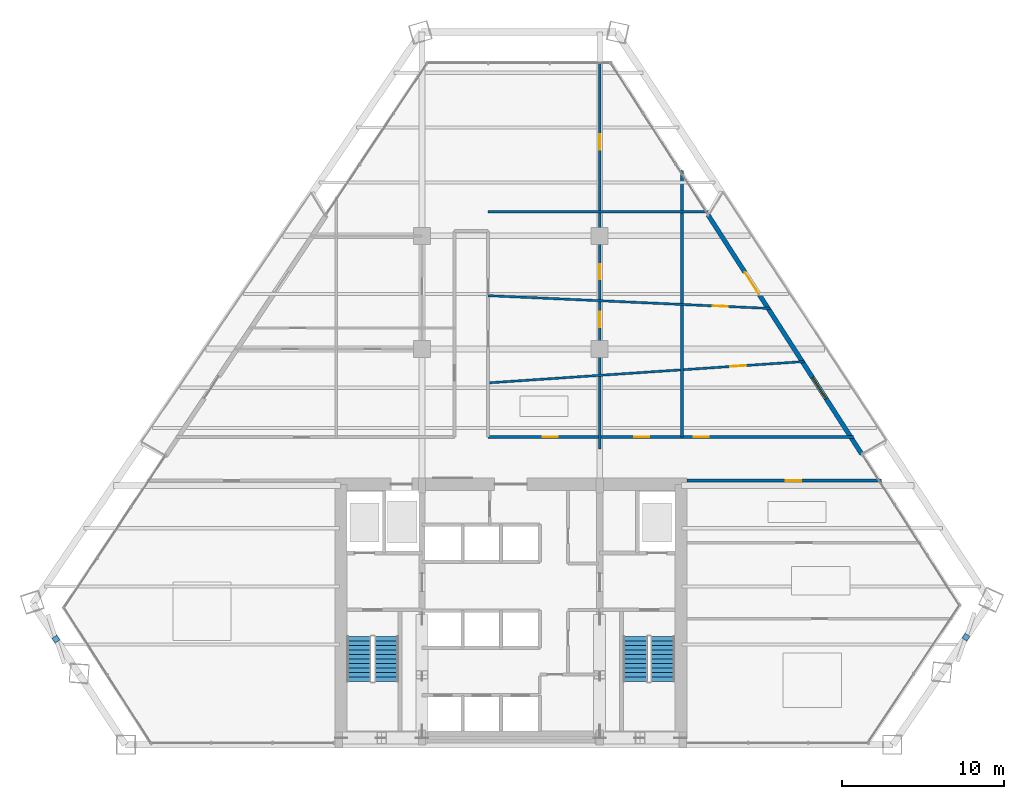
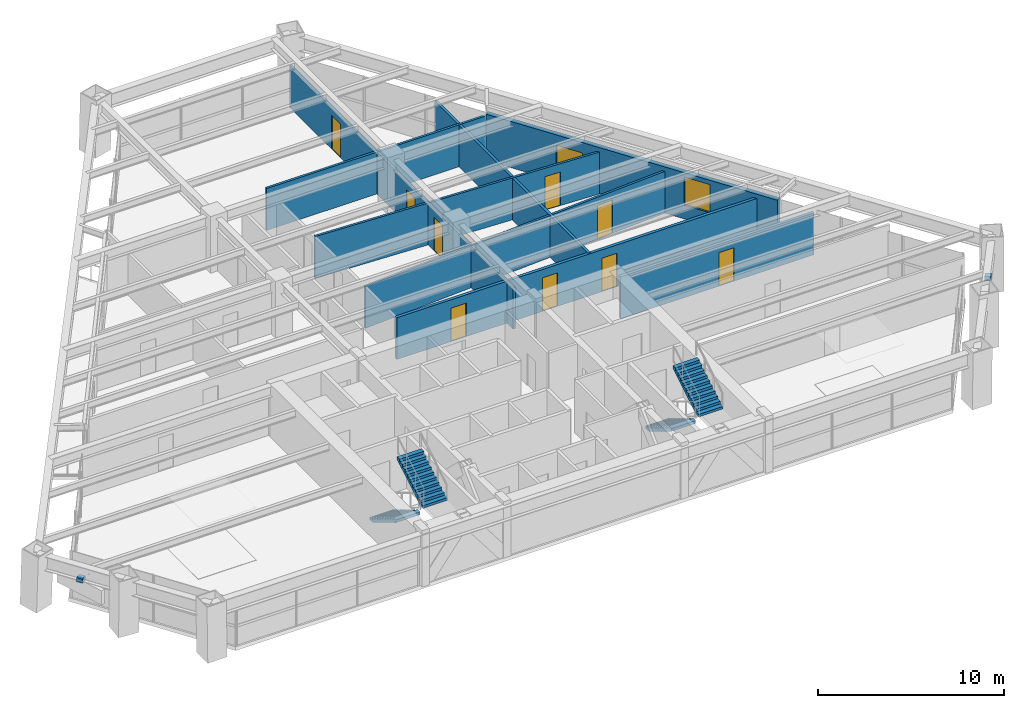
# One storey, part 12 of 15: 10 doors, 8 walls, 4 stair flights, 2 discrete accessories, 1 window, 11 openings, 2 elements without a shape of their own.
"""IFC4 building model written with IfcOpenShell, lengths in metres."""

from ifc_helpers import new_model, si_unit, direction, frame, frame_2d, origin, origin_2d, place, context, subcontext, project, spatial, polyline, rectangle, outline, extrude, source, transform, mapped, material, layer, layer_set, type_object, type_shapes, element, fill, aggregate, save


model = new_model("IFC4")

# Units and contexts
model_context = context("Model", 3, precision=1e-05, world=origin(), true_north=direction((0.0, 1.0)))
body_context = subcontext(model_context, "Body", "Model", "MODEL_VIEW")
ifc_project = project(units=[si_unit("LENGTHUNIT", "METRE"), si_unit("AREAUNIT", "SQUARE_METRE"), si_unit("VOLUMEUNIT", "CUBIC_METRE"), si_unit("PLANEANGLEUNIT", "RADIAN"), si_unit("MASSUNIT", "GRAM", prefix="KILO")], contexts=[model_context])

# Site, building, storey
site_placement = place(None, origin())
site = spatial("IfcSite", under=ifc_project, at=site_placement, CompositionType="ELEMENT")
building_placement = place(site_placement, origin())
building = spatial("IfcBuilding", under=site, at=building_placement, Name="Varnakhor Terracotta Tower", CompositionType="ELEMENT")
storey_placement = place(building_placement, frame((0.0, 0.0, 109.89990234375)))
storey = spatial("IfcBuildingStorey", under=building, at=storey_placement, Name="L27", CompositionType="ELEMENT", Elevation=109.89990234375)

# Wall, opening, door
ifc_material_1 = material(Name="Fire-Rated Gypsum Stud Partition", Category="gypsum")
ifc_layer_1 = layer(ifc_material_1, 0.18505859375, Name="Fire-Rated Gypsum Stud Partition")
ifc_layer_set_1 = layer_set([ifc_layer_1], Name="Fire-Rated Gypsum Stud Partition")
wall_type_1 = type_object("IfcWallType", Name="WAL-CORR-185", PredefinedType="PARTITIONING", material=ifc_layer_set_1)
wall_1_placement = place(storey_placement, frame((10.919921875, 16.35009765625, 0.0), z_axis=(0.0, 0.0, 1.0), x_axis=(1.0, 0.0, 0.0)))
wall_1 = element("IfcWall", 1, at=wall_1_placement, inside=storey, type_object=wall_type_1, Name="L27 South East Corridor Wall", PredefinedType="PARTITIONING", context=body_context, shape_type="SweptSolid", body=[
    extrude(rectangle(XDim=12.0126953125, YDim=0.18505859375, at=frame_2d((6.00634765625, 0.0))), origin(), (0.0, 0.0, 1.0), 2.7470703125),
])
opening_1_placement = place(wall_1_placement, frame((6.097900390625, 0.0, 0.0)))
opening_1 = element("IfcOpeningElement", 2, at=opening_1_placement, cuts=wall_1, Name="Opening DR-94", PredefinedType="OPENING", context=body_context, shape_type="SweptSolid", body=[
    extrude(rectangle(XDim=0.949951171875, YDim=2.199951171875, at=frame_2d((0.47509765625, 1.10009765625))), frame((0.0, 0.1025390625, 0.0), z_axis=(0.0, -1.0, 0.0), x_axis=(1.0, 0.0, 0.0)), (0.0, 0.0, 1.0), 0.205078125),
])
ifc_material_2 = material(Name="Acoustic Glazed-Vision Timber Office Door", Category="wood")
door_type_1 = type_object("IfcDoorType", Name="DR-OFF-950X2200", OperationType="NOTDEFINED", PredefinedType="DOOR", material=ifc_material_2)
shared_shape_1 = source(origin(), body_context, "Body", "SweptSolid", [
    extrude(rectangle(XDim=0.949951171875, YDim=2.199951171875, at=frame_2d((0.47509765625, 1.10009765625))), frame((0.0, 0.02490234375, 0.0), z_axis=(0.0, -1.0, 0.0), x_axis=(1.0, 0.0, 0.0)), (0.0, 0.0, 1.0), 0.050048828125),
])
type_shapes(door_type_1, [shared_shape_1])
door_1_placement = place(opening_1_placement, origin())
door_1 = element("IfcDoor", 3, at=door_1_placement, inside=storey, type_object=door_type_1, Name="L27 SE Suite Door", OperationType="SINGLE_SWING_LEFT", OverallHeight=2.199951171875, OverallWidth=0.949951171875, PredefinedType="DOOR", context=body_context, shape_type="MappedRepresentation", body=[
    mapped(shared_shape_1, transform((0.0, 0.0, 0.0), scale=1.0)),
])
fill(opening_1, door_1)

# Wall, openings, doors
wall_2_placement = place(storey_placement, frame((-1.39990234375, 19.050048828125, 0.0), z_axis=(0.0, 0.0, 1.0), x_axis=(1.0, 0.0, 0.0)))
wall_2 = element("IfcWall", 4, at=wall_2_placement, inside=storey, type_object=wall_type_1, Name="L27 Corridor North East Wall", PredefinedType="PARTITIONING", context=body_context, shape_type="SweptSolid", body=[
    extrude(rectangle(XDim=22.59716796875, YDim=0.18505859375, at=frame_2d((11.298583984375, 0.0))), origin(), (0.0, 0.0, 1.0), 2.7470703125),
])
opening_2_placement = place(wall_2_placement, frame((12.715087890625, 0.0, 0.0)))
opening_2 = element("IfcOpeningElement", 5, at=opening_2_placement, cuts=wall_2, Name="Opening DR-94", PredefinedType="OPENING", context=body_context, shape_type="SweptSolid", body=[
    extrude(rectangle(XDim=0.949951171875, YDim=2.199951171875, at=frame_2d((0.47509765625, 1.10009765625))), frame((0.0, 0.1025390625, 0.0), z_axis=(0.0, -1.0, 0.0), x_axis=(1.0, 0.0, 0.0)), (0.0, 0.0, 1.0), 0.205078125),
])
opening_3_placement = place(wall_2_placement, frame((3.364501953125, 0.0, 0.0)))
opening_3 = element("IfcOpeningElement", 6, at=opening_3_placement, cuts=wall_2, Name="Opening DR-94", PredefinedType="OPENING", context=body_context, shape_type="SweptSolid", body=[
    extrude(rectangle(XDim=0.949951171875, YDim=2.199951171875, at=frame_2d((0.47509765625, 1.10009765625))), frame((0.0, 0.1025390625, 0.0), z_axis=(0.0, -1.0, 0.0), x_axis=(1.0, 0.0, 0.0)), (0.0, 0.0, 1.0), 0.205078125),
])
opening_4_placement = place(wall_2_placement, frame((9.024658203125, 0.0, 0.0)))
opening_4 = element("IfcOpeningElement", 7, at=opening_4_placement, cuts=wall_2, Name="Opening DR-94", PredefinedType="OPENING", context=body_context, shape_type="SweptSolid", body=[
    extrude(rectangle(XDim=0.949951171875, YDim=2.199951171875, at=frame_2d((0.47509765625, 1.10009765625))), frame((0.0, 0.1025390625, 0.0), z_axis=(0.0, -1.0, 0.0), x_axis=(1.0, 0.0, 0.0)), (0.0, 0.0, 1.0), 0.205078125),
])
door_2_placement = place(opening_2_placement, origin())
door_2 = element("IfcDoor", 8, at=door_2_placement, inside=storey, type_object=door_type_1, Name="L27 East Workplace Door", OperationType="SINGLE_SWING_LEFT", OverallHeight=2.199951171875, OverallWidth=0.949951171875, PredefinedType="DOOR", context=body_context, shape_type="MappedRepresentation", body=[
    mapped(shared_shape_1, transform((0.0, 0.0, 0.0), scale=1.0)),
])
fill(opening_2, door_2)
door_3_placement = place(opening_3_placement, origin())
door_3 = element("IfcDoor", 9, at=door_3_placement, inside=storey, type_object=door_type_1, Name="L27 Executive Dining Salon B6 Door", OperationType="SINGLE_SWING_LEFT", OverallHeight=2.199951171875, OverallWidth=0.949951171875, PredefinedType="DOOR", context=body_context, shape_type="MappedRepresentation", body=[
    mapped(shared_shape_1, transform((0.0, 0.0, 0.0), scale=1.0)),
])
fill(opening_3, door_3)
door_4_placement = place(opening_4_placement, origin())
door_4 = element("IfcDoor", 10, at=door_4_placement, inside=storey, type_object=door_type_1, Name="L27 Staff Pantry B7 Door", OperationType="SINGLE_SWING_RIGHT", OverallHeight=2.199951171875, OverallWidth=0.949951171875, PredefinedType="DOOR", context=body_context, shape_type="MappedRepresentation", body=[
    mapped(shared_shape_1, transform((0.0, 0.0, 0.0), scale=1.0)),
])
fill(opening_4, door_4)

# Wall, openings, door, window
ifc_material_3 = material(Name="Extruded Architectural Terracotta Assembly", Category="masonry")
ifc_layer_2 = layer(ifc_material_3, 0.280029296875, Name="Extruded Architectural Terracotta Assembly")
ifc_layer_set_2 = layer_set([ifc_layer_2], Name="Extruded Architectural Terracotta Assembly")
wall_type_2 = type_object("IfcWallType", Name="WAL-EXT-TERRACOTTA-280", PredefinedType="SOLIDWALL", material=ifc_layer_set_2)
wall_3_placement = place(storey_placement, frame((12.201904296875, 32.8056640625, 0.0), z_axis=(0.0, 0.0, 1.0), x_axis=(0.540666538477, -0.841237002379, 0.0)))
wall_3 = element("IfcWall", 11, at=wall_3_placement, inside=storey, type_object=wall_type_2, Name="L27 E Loggia Insulated Terracotta Wall", PredefinedType="SOLIDWALL", context=body_context, shape_type="SweptSolid", body=[
    extrude(rectangle(XDim=17.617919921875, YDim=0.280029296875, at=frame_2d((8.80908203125, 0.0))), origin(), (0.0, 0.0, 1.0), 3.030029296875),
])
opening_5_placement = place(wall_3_placement, frame((4.228271484375, 0.0, 0.0)))
opening_5 = element("IfcOpeningElement", 12, at=opening_5_placement, cuts=wall_3, Name="Opening DR-62", PredefinedType="OPENING", context=body_context, shape_type="SweptSolid", body=[
    extrude(rectangle(XDim=1.60009765625, YDim=2.35009765625, at=frame_2d((0.800048828125, 1.175048828125))), frame((0.0, 0.14990234375, 0.0), z_axis=(0.0, -1.0, 0.0), x_axis=(1.0, 0.0, 0.0)), (0.0, 0.0, 1.0), 0.300048828125),
])
opening_6_placement = place(wall_3_placement, frame((11.97998046875, 0.0, 0.89990234375)))
opening_6 = element("IfcOpeningElement", 13, at=opening_6_placement, cuts=wall_3, Name="Opening WN-57", PredefinedType="OPENING", context=body_context, shape_type="SweptSolid", body=[
    extrude(rectangle(XDim=1.550048828125, YDim=1.85009765625, at=frame_2d((0.77490234375, 0.925048828125))), frame((0.0, 0.14990234375, 0.0), z_axis=(0.0, -1.0, 0.0), x_axis=(1.0, 0.0, 0.0)), (0.0, 0.0, 1.0), 0.300048828125),
])
ifc_material_4 = material(Name="Thermally Broken Sliding Glass Loggia Door", Category="glass")
door_type_2 = type_object("IfcDoorType", Name="DR-EXT-LOGGIA-1600X2350", OperationType="NOTDEFINED", PredefinedType="DOOR", material=ifc_material_4)
shared_shape_2 = source(origin(), body_context, "Body", "SweptSolid", [
    extrude(rectangle(XDim=1.60009765625, YDim=2.35009765625, at=frame_2d((0.800048828125, 1.175048828125))), frame((0.0, 0.02490234375, 0.0), z_axis=(0.0, -1.0, 0.0), x_axis=(1.0, 0.0, 0.0)), (0.0, 0.0, 1.0), 0.050048828125),
])
type_shapes(door_type_2, [shared_shape_2])
door_5_placement = place(opening_5_placement, origin())
door_5 = element("IfcDoor", 14, at=door_5_placement, inside=storey, type_object=door_type_2, Name="L27 E Recessed Loggia Sliding Door", OperationType="SLIDING_TO_RIGHT", OverallHeight=2.35009765625, OverallWidth=1.60009765625, PredefinedType="DOOR", context=body_context, shape_type="MappedRepresentation", body=[
    mapped(shared_shape_2, transform((0.0, 0.0, 0.0), scale=1.0)),
])
fill(opening_5, door_5)
ifc_material_5 = material(Name="Solar-Control Low-E Insulated Glass Unit", Category="glass")
window_type = type_object("IfcWindowType", Name="WIN-OFF-1650X2100", PartitioningType="SINGLE_PANEL", PredefinedType="WINDOW", material=ifc_material_5)
shared_shape_3 = source(origin(), body_context, "Body", "SweptSolid", [
    extrude(rectangle(XDim=1.550048828125, YDim=1.85009765625, at=frame_2d((0.77490234375, 0.925048828125))), frame((0.0, 0.030029296875, 0.0), z_axis=(0.0, -1.0, 0.0), x_axis=(1.0, 0.0, 0.0)), (0.0, 0.0, 1.0), 0.06005859375),
])
type_shapes(window_type, [shared_shape_3])
window_placement = place(opening_6_placement, origin())
window = element("IfcWindow", 15, at=window_placement, inside=storey, type_object=window_type, Name="L27 E Facet Punched Window", OverallHeight=1.85009765625, OverallWidth=1.550048828125, PartitioningType="SINGLE_PANEL", PredefinedType="WINDOW", context=body_context, shape_type="MappedRepresentation", body=[
    mapped(shared_shape_3, transform((0.0, 0.0, 0.0), scale=1.0)),
])
fill(opening_6, window)

# Wall, openings, doors
ifc_material_6 = material(Name="Acoustic Metal-Stud Partition", Category="gypsum")
ifc_layer_3 = layer(ifc_material_6, 0.139892578125, Name="Acoustic Metal-Stud Partition")
ifc_layer_set_3 = layer_set([ifc_layer_3], Name="Acoustic Metal-Stud Partition")
wall_type_3 = type_object("IfcWallType", Name="WAL-PART-140", PredefinedType="PARTITIONING", material=ifc_layer_set_3)
wall_4_placement = place(storey_placement, frame((5.5, 18.300048828125, 0.0), z_axis=(0.0, 0.0, 1.0), x_axis=(0.0, 1.0, 0.0)))
wall_4 = element("IfcWall", 16, at=wall_4_placement, inside=storey, type_object=wall_type_3, Name="L27 East Full Column Wall", PredefinedType="PARTITIONING", context=body_context, shape_type="SweptSolid", body=[
    extrude(rectangle(XDim=24.00244140625, YDim=0.139892578125, at=frame_2d((12.001220703125, 0.0))), origin(), (0.0, 0.0, 1.0), 2.7470703125),
])
opening_7_placement = place(wall_4_placement, frame((10.5078125, 0.0, 0.0)))
opening_7 = element("IfcOpeningElement", 17, at=opening_7_placement, cuts=wall_4, Name="Opening DR-94", PredefinedType="OPENING", context=body_context, shape_type="SweptSolid", body=[
    extrude(rectangle(XDim=0.949951171875, YDim=2.199951171875, at=frame_2d((0.47509765625, 1.10009765625))), frame((0.0, 0.080078125, 0.0), z_axis=(0.0, -1.0, 0.0), x_axis=(1.0, 0.0, 0.0)), (0.0, 0.0, 1.0), 0.159912109375),
])
opening_8_placement = place(wall_4_placement, frame((18.5341796875, 0.0, 0.0)))
opening_8 = element("IfcOpeningElement", 18, at=opening_8_placement, cuts=wall_4, Name="Opening DR-94", PredefinedType="OPENING", context=body_context, shape_type="SweptSolid", body=[
    extrude(rectangle(XDim=0.949951171875, YDim=2.199951171875, at=frame_2d((0.47509765625, 1.10009765625))), frame((0.0, 0.080078125, 0.0), z_axis=(0.0, -1.0, 0.0), x_axis=(1.0, 0.0, 0.0)), (0.0, 0.0, 1.0), 0.159912109375),
])
opening_9_placement = place(wall_4_placement, frame((7.555908203125, 0.0, 0.0)))
opening_9 = element("IfcOpeningElement", 19, at=opening_9_placement, cuts=wall_4, Name="Opening DR-94", PredefinedType="OPENING", context=body_context, shape_type="SweptSolid", body=[
    extrude(rectangle(XDim=0.949951171875, YDim=2.199951171875, at=frame_2d((0.47509765625, 1.10009765625))), frame((0.0, 0.080078125, 0.0), z_axis=(0.0, -1.0, 0.0), x_axis=(1.0, 0.0, 0.0)), (0.0, 0.0, 1.0), 0.159912109375),
])
door_6_placement = place(opening_7_placement, origin())
door_6 = element("IfcDoor", 20, at=door_6_placement, inside=storey, type_object=door_type_1, Name="L27 Director Office 2 B19 Door", OperationType="SINGLE_SWING_RIGHT", OverallHeight=2.199951171875, OverallWidth=0.949951171875, PredefinedType="DOOR", context=body_context, shape_type="MappedRepresentation", body=[
    mapped(shared_shape_1, transform((0.0, 0.0, 0.0), scale=1.0)),
])
fill(opening_7, door_6)
door_7_placement = place(opening_8_placement, origin())
door_7 = element("IfcDoor", 21, at=door_7_placement, inside=storey, type_object=door_type_1, Name="L27 Innovation Workshop B21 Door", OperationType="SINGLE_SWING_LEFT", OverallHeight=2.199951171875, OverallWidth=0.949951171875, PredefinedType="DOOR", context=body_context, shape_type="MappedRepresentation", body=[
    mapped(shared_shape_1, transform((0.0, 0.0, 0.0), scale=1.0)),
])
fill(opening_8, door_7)
door_8_placement = place(opening_9_placement, origin())
door_8 = element("IfcDoor", 22, at=door_8_placement, inside=storey, type_object=door_type_1, Name="L27 Staff Pantry B15 Door", OperationType="SINGLE_SWING_LEFT", OverallHeight=2.199951171875, OverallWidth=0.949951171875, PredefinedType="DOOR", context=body_context, shape_type="MappedRepresentation", body=[
    mapped(shared_shape_1, transform((0.0, 0.0, 0.0), scale=1.0)),
])
fill(opening_9, door_8)

# Wall, opening, door
wall_5_placement = place(storey_placement, frame((-1.39990234375, 22.39990234375, 0.0), z_axis=(0.0, 0.0, 1.0), x_axis=(0.997727357644, 0.067380411165, 0.0)))
wall_5 = element("IfcWall", 23, at=wall_5_placement, inside=storey, type_object=wall_type_3, Name="L27 East Wing Cut 1", PredefinedType="PARTITIONING", context=body_context, shape_type="SweptSolid", body=[
    extrude(rectangle(XDim=19.638427734375, YDim=0.139892578125, at=frame_2d((9.8193359375, 0.0))), origin(), (0.0, 0.0, 1.0), 2.7470703125),
])
opening_10_placement = place(wall_5_placement, frame((15.025146484375, 0.0, 0.0)))
opening_10 = element("IfcOpeningElement", 24, at=opening_10_placement, cuts=wall_5, Name="Opening DR-94", PredefinedType="OPENING", context=body_context, shape_type="SweptSolid", body=[
    extrude(rectangle(XDim=0.949951171875, YDim=2.199951171875, at=frame_2d((0.47509765625, 1.10009765625))), frame((0.0, 0.080078125, 0.0), z_axis=(0.0, -1.0, 0.0), x_axis=(1.0, 0.0, 0.0)), (0.0, 0.0, 1.0), 0.159912109375),
])
door_9_placement = place(opening_10_placement, origin())
door_9 = element("IfcDoor", 25, at=door_9_placement, inside=storey, type_object=door_type_1, Name="L27 Director Office 3 Door", OperationType="SINGLE_SWING_RIGHT", OverallHeight=2.199951171875, OverallWidth=0.949951171875, PredefinedType="DOOR", context=body_context, shape_type="MappedRepresentation", body=[
    mapped(shared_shape_1, transform((0.0, 0.0, 0.0), scale=1.0)),
])
fill(opening_10, door_9)

wall_6_placement = place(storey_placement, frame((-1.39990234375, 27.800048828125, 0.0), z_axis=(0.0, 0.0, 1.0), x_axis=(0.998969316616, -0.045390576782, 0.0)))
wall_6 = element("IfcWall", 26, at=wall_6_placement, inside=storey, type_object=wall_type_3, Name="L27 East Wing Cut 2", PredefinedType="PARTITIONING", context=body_context, shape_type="SweptSolid", body=[
    extrude(rectangle(XDim=17.502197265625, YDim=0.139892578125, at=frame_2d((8.7509765625, 0.0))), origin(), (0.0, 0.0, 1.0), 2.7470703125),
])
opening_11_placement = place(wall_6_placement, frame((13.90478515625, 0.0, 0.0)))
opening_11 = element("IfcOpeningElement", 27, at=opening_11_placement, cuts=wall_6, Name="Opening DR-94", PredefinedType="OPENING", context=body_context, shape_type="SweptSolid", body=[
    extrude(rectangle(XDim=0.949951171875, YDim=2.199951171875, at=frame_2d((0.47509765625, 1.10009765625))), frame((0.0, 0.080078125, 0.0), z_axis=(0.0, -1.0, 0.0), x_axis=(1.0, 0.0, 0.0)), (0.0, 0.0, 1.0), 0.159912109375),
])
door_10_placement = place(opening_11_placement, origin())
door_10 = element("IfcDoor", 28, at=door_10_placement, inside=storey, type_object=door_type_1, Name="L27 Executive Dining Salon Door", OperationType="SINGLE_SWING_LEFT", OverallHeight=2.199951171875, OverallWidth=0.949951171875, PredefinedType="DOOR", context=body_context, shape_type="MappedRepresentation", body=[
    mapped(shared_shape_1, transform((0.0, 0.0, 0.0), scale=1.0)),
])
fill(opening_11, door_10)

# Walls
wall_7_placement = place(storey_placement, frame((-1.39990234375, 33.0, 0.0), z_axis=(0.0, 0.0, 1.0), x_axis=(1.0, 0.0, 0.0)))
element("IfcWall", 29, at=wall_7_placement, inside=storey, type_object=wall_type_3, Name="L27 East Wing Cut 3", PredefinedType="PARTITIONING", context=body_context, shape_type="SweptSolid", body=[
    extrude(rectangle(XDim=13.63134765625, YDim=0.139892578125, at=frame_2d((6.815673828125, 0.0))), origin(), (0.0, 0.0, 1.0), 2.7470703125),
])
ifc_material_7 = material(Name="Acoustic Fire-Rated Partition", Category="gypsum")
ifc_layer_4 = layer(ifc_material_7, 0.1650390625, Name="Acoustic Fire-Rated Partition")
ifc_layer_set_4 = layer_set([ifc_layer_4], Name="Acoustic Fire-Rated Partition")
wall_type_4 = type_object("IfcWallType", Name="WAL-TENANCY-165", PredefinedType="PARTITIONING", material=ifc_layer_set_4)
wall_8_placement = place(storey_placement, frame((10.60009765625, 19.050048828125, 0.0), z_axis=(0.0, 0.0, 1.0), x_axis=(0.0, 1.0, 0.0)))
element("IfcWall", 30, at=wall_8_placement, inside=storey, type_object=wall_type_4, Name="L27 East Cellular Line", PredefinedType="PARTITIONING", context=body_context, shape_type="SweptSolid", body=[
    extrude(rectangle(XDim=16.48828125, YDim=0.1650390625, at=frame_2d((8.244140625, 0.0))), origin(), (0.0, 0.0, 1.0), 2.7470703125),
])

# Stair, stair flights
ifc_material_8 = material(Name="Concrete C40/50", Category="concrete")
stair_type = type_object("IfcStairType", Name="STR-CORE-OFFICE-1500", PredefinedType="HALF_TURN_STAIR", material=ifc_material_8)
stair_1_placement = place(storey_placement, origin())
stair_1 = element("IfcStair", 31, at=stair_1_placement, inside=storey, type_object=stair_type, Name="L27 Core Exit Stair ST-1", PredefinedType="HALF_TURN_STAIR")
stair_flight_type = type_object("IfcStairFlightType", Name="FLT-CORE-1500", PredefinedType="STRAIGHT", material=ifc_material_8)
stair_flight_1_placement = place(storey_placement, frame((-9.39990234375, 6.7099609375, 0.0), z_axis=(0.0, 0.0, 1.0), x_axis=(0.0, -1.0, 0.0)))
stair_flight_1 = element("IfcStairFlight", 32, at=stair_flight_1_placement, type_object=stair_flight_type, Name="ST-1 flight 1", NumberOfRisers=11, NumberOfTreads=10, PredefinedType="STRAIGHT", RiserHeight=0.168181818, TreadLength=0.28, context=body_context, shape_type="SweptSolid", body=[
    extrude(outline(polyline([(0.0, 0.0), (0.0, 0.168212890625), (0.280029296875, 0.168212890625), (0.280029296875, 0.33642578125), (0.56005859375, 0.33642578125), (0.56005859375, 0.504638671875), (0.840087890625, 0.504638671875), (0.840087890625, 0.672607421875), (1.1201171875, 0.672607421875), (1.1201171875, 0.8408203125), (1.39990234375, 0.8408203125), (1.39990234375, 1.009033203125), (1.679931640625, 1.009033203125), (1.679931640625, 1.17724609375), (1.9599609375, 1.17724609375), (1.9599609375, 1.345458984375), (2.239990234375, 1.345458984375), (2.239990234375, 1.513671875), (2.52001953125, 1.513671875), (2.52001953125, 1.681884765625), (2.800048828125, 1.681884765625), (2.800048828125, 1.85009765625), (2.800048828125, 1.495361328125), (0.310546875, 0.0), (0.0, 0.0)])), frame((0.0, 0.75, 0.0), z_axis=(0.0, -1.0, 0.0), x_axis=(1.0, 0.0, 0.0)), (0.0, 0.0, 1.0), 1.5),
])
stair_flight_2_placement = place(storey_placement, frame((-7.699951171875, 3.909912109375, 1.85009765625), z_axis=(0.0, 0.0, 1.0), x_axis=(0.0, 1.0, 0.0)))
stair_flight_2 = element("IfcStairFlight", 33, at=stair_flight_2_placement, type_object=stair_flight_type, Name="ST-1 flight 2", NumberOfRisers=11, NumberOfTreads=10, PredefinedType="STRAIGHT", RiserHeight=0.168181818, TreadLength=0.28, context=body_context, shape_type="SweptSolid", body=[
    extrude(outline(polyline([(0.0, 0.0), (0.0, 0.168212890625), (0.280029296875, 0.168212890625), (0.280029296875, 0.33642578125), (0.56005859375, 0.33642578125), (0.56005859375, 0.504638671875), (0.840087890625, 0.504638671875), (0.840087890625, 0.672607421875), (1.1201171875, 0.672607421875), (1.1201171875, 0.8408203125), (1.39990234375, 0.8408203125), (1.39990234375, 1.009033203125), (1.679931640625, 1.009033203125), (1.679931640625, 1.17724609375), (1.9599609375, 1.17724609375), (1.9599609375, 1.345458984375), (2.239990234375, 1.345458984375), (2.239990234375, 1.513671875), (2.52001953125, 1.513671875), (2.52001953125, 1.681884765625), (2.800048828125, 1.681884765625), (2.800048828125, 1.85009765625), (2.800048828125, 1.495361328125), (0.310546875, 0.0), (0.0, 0.0)])), frame((0.0, 0.75, 0.0), z_axis=(0.0, -1.0, 0.0), x_axis=(1.0, 0.0, 0.0)), (0.0, 0.0, 1.0), 1.5),
])
aggregate(stair_1, [stair_flight_1, stair_flight_2])

stair_2_placement = place(storey_placement, origin())
stair_2 = element("IfcStair", 34, at=stair_2_placement, inside=storey, type_object=stair_type, Name="L27 Core Exit Stair ST-2", PredefinedType="HALF_TURN_STAIR")
stair_flight_3_placement = place(storey_placement, frame((7.699951171875, 6.7099609375, 0.0), z_axis=(0.0, 0.0, 1.0), x_axis=(0.0, -1.0, 0.0)))
stair_flight_3 = element("IfcStairFlight", 35, at=stair_flight_3_placement, type_object=stair_flight_type, Name="ST-2 flight 1", NumberOfRisers=11, NumberOfTreads=10, PredefinedType="STRAIGHT", RiserHeight=0.168181818, TreadLength=0.28, context=body_context, shape_type="SweptSolid", body=[
    extrude(outline(polyline([(0.0, 0.0), (0.0, 0.168212890625), (0.280029296875, 0.168212890625), (0.280029296875, 0.33642578125), (0.56005859375, 0.33642578125), (0.56005859375, 0.504638671875), (0.840087890625, 0.504638671875), (0.840087890625, 0.672607421875), (1.1201171875, 0.672607421875), (1.1201171875, 0.8408203125), (1.39990234375, 0.8408203125), (1.39990234375, 1.009033203125), (1.679931640625, 1.009033203125), (1.679931640625, 1.17724609375), (1.9599609375, 1.17724609375), (1.9599609375, 1.345458984375), (2.239990234375, 1.345458984375), (2.239990234375, 1.513671875), (2.52001953125, 1.513671875), (2.52001953125, 1.681884765625), (2.800048828125, 1.681884765625), (2.800048828125, 1.85009765625), (2.800048828125, 1.495361328125), (0.310546875, 0.0), (0.0, 0.0)])), frame((0.0, 0.75, 0.0), z_axis=(0.0, -1.0, 0.0), x_axis=(1.0, 0.0, 0.0)), (0.0, 0.0, 1.0), 1.5),
])
stair_flight_4_placement = place(storey_placement, frame((9.39990234375, 3.909912109375, 1.85009765625), z_axis=(0.0, 0.0, 1.0), x_axis=(0.0, 1.0, 0.0)))
stair_flight_4 = element("IfcStairFlight", 36, at=stair_flight_4_placement, type_object=stair_flight_type, Name="ST-2 flight 2", NumberOfRisers=11, NumberOfTreads=10, PredefinedType="STRAIGHT", RiserHeight=0.168181818, TreadLength=0.28, context=body_context, shape_type="SweptSolid", body=[
    extrude(outline(polyline([(0.0, 0.0), (0.0, 0.168212890625), (0.280029296875, 0.168212890625), (0.280029296875, 0.33642578125), (0.56005859375, 0.33642578125), (0.56005859375, 0.504638671875), (0.840087890625, 0.504638671875), (0.840087890625, 0.672607421875), (1.1201171875, 0.672607421875), (1.1201171875, 0.8408203125), (1.39990234375, 0.8408203125), (1.39990234375, 1.009033203125), (1.679931640625, 1.009033203125), (1.679931640625, 1.17724609375), (1.9599609375, 1.17724609375), (1.9599609375, 1.345458984375), (2.239990234375, 1.345458984375), (2.239990234375, 1.513671875), (2.52001953125, 1.513671875), (2.52001953125, 1.681884765625), (2.800048828125, 1.681884765625), (2.800048828125, 1.85009765625), (2.800048828125, 1.495361328125), (0.310546875, 0.0), (0.0, 0.0)])), frame((0.0, 0.75, 0.0), z_axis=(0.0, -1.0, 0.0), x_axis=(1.0, 0.0, 0.0)), (0.0, 0.0, 1.0), 1.5),
])
aggregate(stair_2, [stair_flight_3, stair_flight_4])

# Discrete accessories
ifc_material_9 = material(Name="Stainless Steel Fixing Bracket", Category="steel")
discrete_accessory_type = type_object("IfcDiscreteAccessoryType", Name="BRACKET-TERRACOTTA-SCREEN", PredefinedType="BRACKET", material=ifc_material_9)
shared_shape_4 = source(origin(), body_context, "Body", "SweptSolid", [
    extrude(rectangle(XDim=0.35009765625, YDim=0.35009765625, at=origin_2d()), origin(), (0.0, 0.0, 1.0), 0.280029296875),
])
type_shapes(discrete_accessory_type, [shared_shape_4])
for number, where, z_axis, x_axis, name in (
    (37, (28.17431640625, 6.6572265625, 2.39306640625), (0.0, 0.0, 1.0), (0.562112248068, 0.827060953359, 0.0), "L27 E Screen Fixing Bracket"),
    (38, (-28.15771484375, 6.5390625, 2.39306640625), (0.0, 0.0, 1.0), (0.549227027872, -0.835673184837, 0.0), "L27 W Screen Fixing Bracket"),
):
    element("IfcDiscreteAccessory", number, at=place(storey_placement, frame(where, z_axis=z_axis, x_axis=x_axis)), inside=storey, type_object=discrete_accessory_type, Name=name, PredefinedType="BRACKET", context=body_context, shape_type="MappedRepresentation", body=[
        mapped(shared_shape_4, transform((0.0, 0.0, 0.0), scale=1.0)),
    ])

save(model, "model.ifc")
